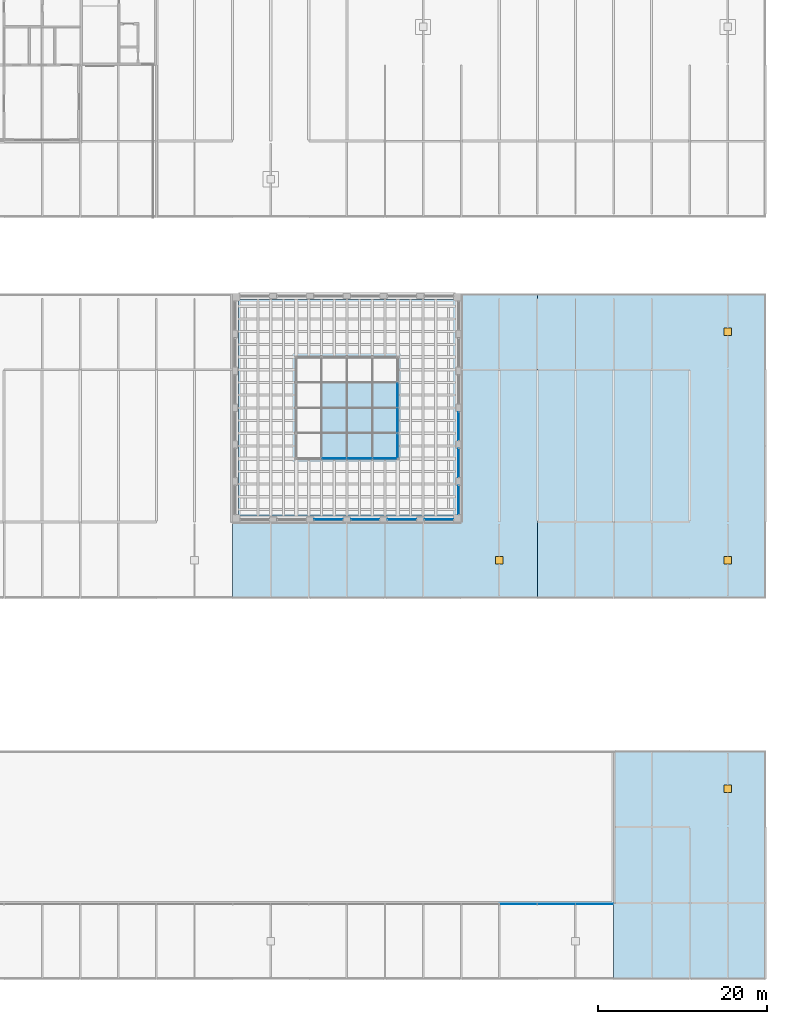
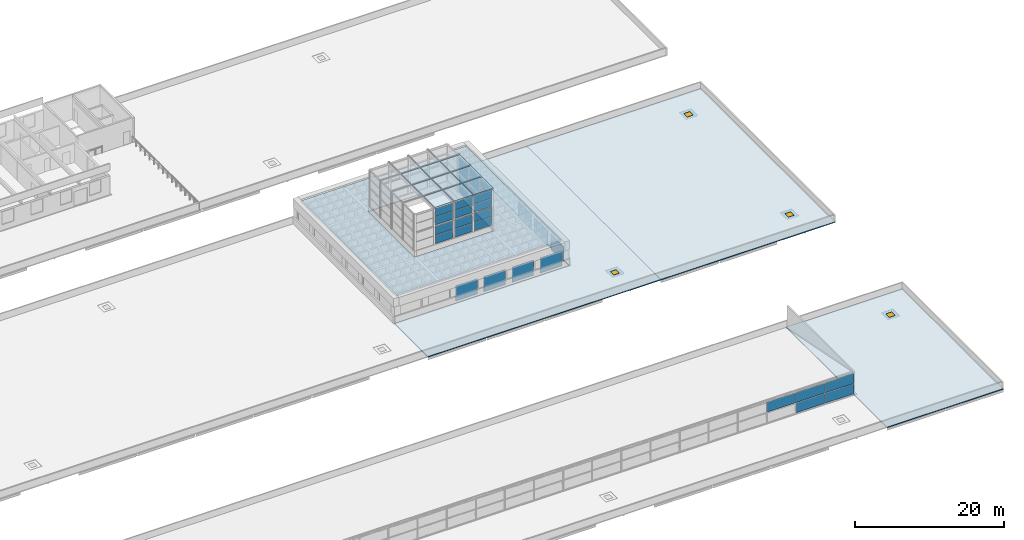
# One storey, part 41 of 50: 45 plates, 4 doors, 4 slabs, 4 openings, 22 elements without a shape of their own.
"""IFC4 building model written with IfcOpenShell, lengths in metres."""

from ifc_helpers import new_model, si_unit, direction, frame, origin, origin_2d, place, context, subcontext, project, spatial, polyline, rectangle, outline, extrude, material, layer, layer_set, type_object, element, fill, aggregate, save


model = new_model("IFC4")

# Units and contexts
model_context = context("Model", 3, precision=1e-05, world=origin(), true_north=direction((0.0, 1.0)))
body_context = subcontext(model_context, "Body", "Model", "MODEL_VIEW")
ifc_project = project(units=[si_unit("LENGTHUNIT", "METRE"), si_unit("AREAUNIT", "SQUARE_METRE"), si_unit("VOLUMEUNIT", "CUBIC_METRE"), si_unit("PLANEANGLEUNIT", "RADIAN"), si_unit("MASSUNIT", "GRAM", prefix="KILO")], contexts=[model_context])

# Site, building, storey
site_placement = place(None, origin())
site = spatial("IfcSite", under=ifc_project, at=site_placement, CompositionType="ELEMENT")
building_placement = place(site_placement, origin())
building = spatial("IfcBuilding", under=site, at=building_placement, Name="Corbel Yard City Hall", CompositionType="ELEMENT")
storey_placement = place(building_placement, frame((0.0, 0.0, 15.0)))
storey = spatial("IfcBuildingStorey", under=building, at=storey_placement, Name="L03", CompositionType="ELEMENT", Elevation=15.0)

# Slab
ifc_material_1 = material(Name="Concrete N50 (50 MPa)", Category="concrete")
ifc_layer_1 = layer(ifc_material_1, 0.14990234375)
ifc_layer_set_1 = layer_set([ifc_layer_1], Name="Concrete N50 (50 MPa)")
slab_type_1 = type_object("IfcSlabType", Name="Coffer roof topping 150", PredefinedType="ROOF", material=ifc_layer_set_1)
slab_1_placement = place(storey_placement, frame((0.0, 0.0, 3.64990234375)))
element("IfcSlab", 1, at=slab_1_placement, inside=storey, type_object=slab_type_1, Name="Council Chamber coffered roof topping", PredefinedType="ROOF", context=body_context, shape_type="SweptSolid", body=[
    extrude(outline(polyline([(117.699951171875, 54.699951171875), (143.300048828125, 54.699951171875), (143.300048828125, 80.300048828125), (117.699951171875, 80.300048828125), (117.699951171875, 54.699951171875)]), holes=[polyline([(136.64990234375, 73.64990234375), (136.64990234375, 61.35009765625), (124.35009765625, 61.35009765625), (124.35009765625, 73.64990234375), (136.64990234375, 73.64990234375)])]), origin(), (0.0, 0.0, 1.0), 0.150146484375),
])

# Curtain wall, plates
ifc_material_2 = material(Name="Stainless steel Grade 316", Category="steel")
ifc_layer_2 = layer(ifc_material_2, 0.050048828125)
ifc_layer_set_2 = layer_set([ifc_layer_2], Name="Stainless steel Grade 316")
curtain_wall_type_1 = type_object("IfcCurtainWallType", Name="CW9", PredefinedType="USERDEFINED", material=ifc_layer_set_2)
curtain_wall_1_placement = place(storey_placement, origin())
curtain_wall_1 = element("IfcCurtainWall", 2, at=curtain_wall_1_placement, inside=storey, type_object=curtain_wall_type_1, Name="Lantern roof glazing", ObjectType="CURTAIN WALL", PredefinedType="USERDEFINED")
ifc_material_3 = material(Name="Laminated heat-strengthened glass", Category="glass")
ifc_layer_3 = layer(ifc_material_3, 0.052001953125)
ifc_layer_set_3 = layer_set([ifc_layer_3], Name="Laminated heat-strengthened glass")
plate_type_1 = type_object("IfcPlateType", Name="PN10", PredefinedType="CURTAIN_PANEL", material=ifc_layer_set_3)
plate_1_placement = place(storey_placement, frame((129.0, 62.93505859375, 10.64990234375), z_axis=(0.0, 0.0, 1.0), x_axis=(1.0, 0.0, 0.0)))
plate_1 = element("IfcPlate", 3, at=plate_1_placement, type_object=plate_type_1, Name="Lantern roof glazing panel", PredefinedType="CURTAIN_PANEL", context=body_context, shape_type="SweptSolid", body=[
    extrude(rectangle(XDim=2.93994140625, YDim=3.070068359375, at=origin_2d()), origin(), (0.0, 0.0, 1.0), 0.052001953125),
])
plate_2_placement = place(storey_placement, frame((129.0, 66.0, 10.64990234375), z_axis=(0.0, 0.0, 1.0), x_axis=(1.0, 0.0, 0.0)))
plate_2 = element("IfcPlate", 4, at=plate_2_placement, type_object=plate_type_1, Name="Lantern roof glazing panel", PredefinedType="CURTAIN_PANEL", context=body_context, shape_type="SweptSolid", body=[
    extrude(rectangle(XDim=2.93994140625, YDim=2.93994140625, at=origin_2d()), origin(), (0.0, 0.0, 1.0), 0.052001953125),
])
plate_3_placement = place(storey_placement, frame((129.0, 69.0, 10.64990234375), z_axis=(0.0, 0.0, 1.0), x_axis=(1.0, 0.0, 0.0)))
plate_3 = element("IfcPlate", 5, at=plate_3_placement, type_object=plate_type_1, Name="Lantern roof glazing panel", PredefinedType="CURTAIN_PANEL", context=body_context, shape_type="SweptSolid", body=[
    extrude(rectangle(XDim=2.93994140625, YDim=2.93994140625, at=origin_2d()), origin(), (0.0, 0.0, 1.0), 0.052001953125),
])
plate_4_placement = place(storey_placement, frame((132.0, 62.93505859375, 10.64990234375), z_axis=(0.0, 0.0, 1.0), x_axis=(1.0, 0.0, 0.0)))
plate_4 = element("IfcPlate", 6, at=plate_4_placement, type_object=plate_type_1, Name="Lantern roof glazing panel", PredefinedType="CURTAIN_PANEL", context=body_context, shape_type="SweptSolid", body=[
    extrude(rectangle(XDim=2.93994140625, YDim=3.070068359375, at=origin_2d()), origin(), (0.0, 0.0, 1.0), 0.052001953125),
])
plate_5_placement = place(storey_placement, frame((132.0, 66.0, 10.64990234375), z_axis=(0.0, 0.0, 1.0), x_axis=(1.0, 0.0, 0.0)))
plate_5 = element("IfcPlate", 7, at=plate_5_placement, type_object=plate_type_1, Name="Lantern roof glazing panel", PredefinedType="CURTAIN_PANEL", context=body_context, shape_type="SweptSolid", body=[
    extrude(rectangle(XDim=2.93994140625, YDim=2.93994140625, at=origin_2d()), origin(), (0.0, 0.0, 1.0), 0.052001953125),
])
plate_6_placement = place(storey_placement, frame((132.0, 69.0, 10.64990234375), z_axis=(0.0, 0.0, 1.0), x_axis=(1.0, 0.0, 0.0)))
plate_6 = element("IfcPlate", 8, at=plate_6_placement, type_object=plate_type_1, Name="Lantern roof glazing panel", PredefinedType="CURTAIN_PANEL", context=body_context, shape_type="SweptSolid", body=[
    extrude(rectangle(XDim=2.93994140625, YDim=2.93994140625, at=origin_2d()), origin(), (0.0, 0.0, 1.0), 0.052001953125),
])
plate_7_placement = place(storey_placement, frame((135.06494140625, 62.93505859375, 10.64990234375), z_axis=(0.0, 0.0, 1.0), x_axis=(1.0, 0.0, 0.0)))
plate_7 = element("IfcPlate", 9, at=plate_7_placement, type_object=plate_type_1, Name="Lantern roof glazing panel", PredefinedType="CURTAIN_PANEL", context=body_context, shape_type="SweptSolid", body=[
    extrude(rectangle(XDim=3.070068359375, YDim=3.070068359375, at=origin_2d()), origin(), (0.0, 0.0, 1.0), 0.052001953125),
])
plate_8_placement = place(storey_placement, frame((135.06494140625, 66.0, 10.64990234375), z_axis=(0.0, 0.0, 1.0), x_axis=(1.0, 0.0, 0.0)))
plate_8 = element("IfcPlate", 10, at=plate_8_placement, type_object=plate_type_1, Name="Lantern roof glazing panel", PredefinedType="CURTAIN_PANEL", context=body_context, shape_type="SweptSolid", body=[
    extrude(rectangle(XDim=3.070068359375, YDim=2.93994140625, at=origin_2d()), origin(), (0.0, 0.0, 1.0), 0.052001953125),
])
plate_9_placement = place(storey_placement, frame((135.06494140625, 69.0, 10.64990234375), z_axis=(0.0, 0.0, 1.0), x_axis=(1.0, 0.0, 0.0)))
plate_9 = element("IfcPlate", 11, at=plate_9_placement, type_object=plate_type_1, Name="Lantern roof glazing panel", PredefinedType="CURTAIN_PANEL", context=body_context, shape_type="SweptSolid", body=[
    extrude(rectangle(XDim=3.070068359375, YDim=2.93994140625, at=origin_2d()), origin(), (0.0, 0.0, 1.0), 0.052001953125),
])
aggregate(curtain_wall_1, [plate_1, plate_2, plate_3, plate_4, plate_5, plate_6, plate_7, plate_8, plate_9])

ifc_material_4 = material(Name="Aluminium extrusion", Category="aluminium")
ifc_layer_4 = layer(ifc_material_4, 0.1201171875)
ifc_layer_set_4 = layer_set([ifc_layer_4], Name="Aluminium extrusion")
curtain_wall_type_2 = type_object("IfcCurtainWallType", Name="CW3", PredefinedType="USERDEFINED", material=ifc_layer_set_4)
curtain_wall_2_placement = place(storey_placement, origin())
curtain_wall_2 = element("IfcCurtainWall", 12, at=curtain_wall_2_placement, inside=storey, type_object=curtain_wall_type_2, Name="Lantern glazing", ObjectType="CURTAIN WALL", PredefinedType="USERDEFINED")
ifc_layer_5 = layer(ifc_material_3, 0.0439453125)
ifc_layer_set_5 = layer_set([ifc_layer_5], Name="Laminated heat-strengthened glass")
plate_type_2 = type_object("IfcPlateType", Name="PN3", PredefinedType="CURTAIN_PANEL", material=ifc_layer_set_5)
plate_10_placement = place(storey_placement, frame((129.0, 61.5, 4.7001953125), z_axis=(0.0, 0.0, 1.0), x_axis=(1.0, 0.0, 0.0)))
plate_10 = element("IfcPlate", 13, at=plate_10_placement, type_object=plate_type_2, Name="CW3 panel 1.1", PredefinedType="CURTAIN_PANEL", context=body_context, shape_type="SweptSolid", body=[
    extrude(rectangle(XDim=2.699951171875, YDim=0.0439453125, at=origin_2d()), origin(), (0.0, 0.0, 1.0), 1.387451171875),
])
plate_11_placement = place(storey_placement, frame((129.0, 61.5, 6.1376953125), z_axis=(0.0, 0.0, 1.0), x_axis=(1.0, 0.0, 0.0)))
plate_11 = element("IfcPlate", 14, at=plate_11_placement, type_object=plate_type_2, Name="CW3 panel 1.2", PredefinedType="CURTAIN_PANEL", context=body_context, shape_type="SweptSolid", body=[
    extrude(rectangle(XDim=2.699951171875, YDim=0.0439453125, at=origin_2d()), origin(), (0.0, 0.0, 1.0), 1.387451171875),
])
aggregate(curtain_wall_2, [plate_10, plate_11])

curtain_wall_3_placement = place(storey_placement, origin())
curtain_wall_3 = element("IfcCurtainWall", 15, at=curtain_wall_3_placement, inside=storey, type_object=curtain_wall_type_2, Name="Lantern glazing", ObjectType="CURTAIN WALL", PredefinedType="USERDEFINED")
plate_12_placement = place(storey_placement, frame((132.0, 61.5, 4.7001953125), z_axis=(0.0, 0.0, 1.0), x_axis=(1.0, 0.0, 0.0)))
plate_12 = element("IfcPlate", 16, at=plate_12_placement, type_object=plate_type_2, Name="CW3 panel 1.1", PredefinedType="CURTAIN_PANEL", context=body_context, shape_type="SweptSolid", body=[
    extrude(rectangle(XDim=2.699951171875, YDim=0.0439453125, at=origin_2d()), origin(), (0.0, 0.0, 1.0), 1.387451171875),
])
plate_13_placement = place(storey_placement, frame((132.0, 61.5, 6.1376953125), z_axis=(0.0, 0.0, 1.0), x_axis=(1.0, 0.0, 0.0)))
plate_13 = element("IfcPlate", 17, at=plate_13_placement, type_object=plate_type_2, Name="CW3 panel 1.2", PredefinedType="CURTAIN_PANEL", context=body_context, shape_type="SweptSolid", body=[
    extrude(rectangle(XDim=2.699951171875, YDim=0.0439453125, at=origin_2d()), origin(), (0.0, 0.0, 1.0), 1.387451171875),
])
aggregate(curtain_wall_3, [plate_12, plate_13])

curtain_wall_4_placement = place(storey_placement, origin())
curtain_wall_4 = element("IfcCurtainWall", 18, at=curtain_wall_4_placement, inside=storey, type_object=curtain_wall_type_2, Name="Lantern glazing", ObjectType="CURTAIN WALL", PredefinedType="USERDEFINED")
plate_14_placement = place(storey_placement, frame((135.0, 61.5, 4.7001953125), z_axis=(0.0, 0.0, 1.0), x_axis=(1.0, 0.0, 0.0)))
plate_14 = element("IfcPlate", 19, at=plate_14_placement, type_object=plate_type_2, Name="CW3 panel 1.1", PredefinedType="CURTAIN_PANEL", context=body_context, shape_type="SweptSolid", body=[
    extrude(rectangle(XDim=2.699951171875, YDim=0.0439453125, at=origin_2d()), origin(), (0.0, 0.0, 1.0), 1.387451171875),
])
plate_15_placement = place(storey_placement, frame((135.0, 61.5, 6.1376953125), z_axis=(0.0, 0.0, 1.0), x_axis=(1.0, 0.0, 0.0)))
plate_15 = element("IfcPlate", 20, at=plate_15_placement, type_object=plate_type_2, Name="CW3 panel 1.2", PredefinedType="CURTAIN_PANEL", context=body_context, shape_type="SweptSolid", body=[
    extrude(rectangle(XDim=2.699951171875, YDim=0.0439453125, at=origin_2d()), origin(), (0.0, 0.0, 1.0), 1.387451171875),
])
aggregate(curtain_wall_4, [plate_14, plate_15])

curtain_wall_5_placement = place(storey_placement, origin())
curtain_wall_5 = element("IfcCurtainWall", 21, at=curtain_wall_5_placement, inside=storey, type_object=curtain_wall_type_2, Name="Lantern glazing", ObjectType="CURTAIN WALL", PredefinedType="USERDEFINED")
plate_16_placement = place(storey_placement, frame((136.5, 63.0, 4.7001953125), z_axis=(0.0, 0.0, 1.0), x_axis=(0.0, 1.0, 0.0)))
plate_16 = element("IfcPlate", 22, at=plate_16_placement, type_object=plate_type_2, Name="CW3 panel 1.1", PredefinedType="CURTAIN_PANEL", context=body_context, shape_type="SweptSolid", body=[
    extrude(rectangle(XDim=2.699951171875, YDim=0.0439453125, at=origin_2d()), origin(), (0.0, 0.0, 1.0), 1.387451171875),
])
plate_17_placement = place(storey_placement, frame((136.5, 63.0, 6.1376953125), z_axis=(0.0, 0.0, 1.0), x_axis=(0.0, 1.0, 0.0)))
plate_17 = element("IfcPlate", 23, at=plate_17_placement, type_object=plate_type_2, Name="CW3 panel 1.2", PredefinedType="CURTAIN_PANEL", context=body_context, shape_type="SweptSolid", body=[
    extrude(rectangle(XDim=2.699951171875, YDim=0.0439453125, at=origin_2d()), origin(), (0.0, 0.0, 1.0), 1.387451171875),
])
aggregate(curtain_wall_5, [plate_16, plate_17])

curtain_wall_6_placement = place(storey_placement, origin())
curtain_wall_6 = element("IfcCurtainWall", 24, at=curtain_wall_6_placement, inside=storey, type_object=curtain_wall_type_2, Name="Lantern glazing", ObjectType="CURTAIN WALL", PredefinedType="USERDEFINED")
plate_18_placement = place(storey_placement, frame((136.5, 66.0, 4.7001953125), z_axis=(0.0, 0.0, 1.0), x_axis=(0.0, 1.0, 0.0)))
plate_18 = element("IfcPlate", 25, at=plate_18_placement, type_object=plate_type_2, Name="CW3 panel 1.1", PredefinedType="CURTAIN_PANEL", context=body_context, shape_type="SweptSolid", body=[
    extrude(rectangle(XDim=2.699951171875, YDim=0.0439453125, at=origin_2d()), origin(), (0.0, 0.0, 1.0), 1.387451171875),
])
plate_19_placement = place(storey_placement, frame((136.5, 66.0, 6.1376953125), z_axis=(0.0, 0.0, 1.0), x_axis=(0.0, 1.0, 0.0)))
plate_19 = element("IfcPlate", 26, at=plate_19_placement, type_object=plate_type_2, Name="CW3 panel 1.2", PredefinedType="CURTAIN_PANEL", context=body_context, shape_type="SweptSolid", body=[
    extrude(rectangle(XDim=2.699951171875, YDim=0.0439453125, at=origin_2d()), origin(), (0.0, 0.0, 1.0), 1.387451171875),
])
aggregate(curtain_wall_6, [plate_18, plate_19])

curtain_wall_7_placement = place(storey_placement, origin())
curtain_wall_7 = element("IfcCurtainWall", 27, at=curtain_wall_7_placement, inside=storey, type_object=curtain_wall_type_2, Name="Lantern glazing", ObjectType="CURTAIN WALL", PredefinedType="USERDEFINED")
plate_20_placement = place(storey_placement, frame((136.5, 69.0, 4.7001953125), z_axis=(0.0, 0.0, 1.0), x_axis=(0.0, 1.0, 0.0)))
plate_20 = element("IfcPlate", 28, at=plate_20_placement, type_object=plate_type_2, Name="CW3 panel 1.1", PredefinedType="CURTAIN_PANEL", context=body_context, shape_type="SweptSolid", body=[
    extrude(rectangle(XDim=2.699951171875, YDim=0.0439453125, at=origin_2d()), origin(), (0.0, 0.0, 1.0), 1.387451171875),
])
plate_21_placement = place(storey_placement, frame((136.5, 69.0, 6.1376953125), z_axis=(0.0, 0.0, 1.0), x_axis=(0.0, 1.0, 0.0)))
plate_21 = element("IfcPlate", 29, at=plate_21_placement, type_object=plate_type_2, Name="CW3 panel 1.2", PredefinedType="CURTAIN_PANEL", context=body_context, shape_type="SweptSolid", body=[
    extrude(rectangle(XDim=2.699951171875, YDim=0.0439453125, at=origin_2d()), origin(), (0.0, 0.0, 1.0), 1.387451171875),
])
aggregate(curtain_wall_7, [plate_20, plate_21])

curtain_wall_8_placement = place(storey_placement, origin())
curtain_wall_8 = element("IfcCurtainWall", 30, at=curtain_wall_8_placement, inside=storey, type_object=curtain_wall_type_2, Name="Lantern glazing", ObjectType="CURTAIN WALL", PredefinedType="USERDEFINED")
plate_22_placement = place(storey_placement, frame((129.0, 61.5, 7.77490234375), z_axis=(0.0, 0.0, 1.0), x_axis=(1.0, 0.0, 0.0)))
plate_22 = element("IfcPlate", 31, at=plate_22_placement, type_object=plate_type_2, Name="CW3 panel 1.1", PredefinedType="CURTAIN_PANEL", context=body_context, shape_type="SweptSolid", body=[
    extrude(rectangle(XDim=2.699951171875, YDim=0.0439453125, at=origin_2d()), origin(), (0.0, 0.0, 1.0), 1.3125),
])
plate_23_placement = place(storey_placement, frame((129.0, 61.5, 9.137451171875), z_axis=(0.0, 0.0, 1.0), x_axis=(1.0, 0.0, 0.0)))
plate_23 = element("IfcPlate", 32, at=plate_23_placement, type_object=plate_type_2, Name="CW3 panel 1.2", PredefinedType="CURTAIN_PANEL", context=body_context, shape_type="SweptSolid", body=[
    extrude(rectangle(XDim=2.699951171875, YDim=0.0439453125, at=origin_2d()), origin(), (0.0, 0.0, 1.0), 1.3125),
])
aggregate(curtain_wall_8, [plate_22, plate_23])

curtain_wall_9_placement = place(storey_placement, origin())
curtain_wall_9 = element("IfcCurtainWall", 33, at=curtain_wall_9_placement, inside=storey, type_object=curtain_wall_type_2, Name="Lantern glazing", ObjectType="CURTAIN WALL", PredefinedType="USERDEFINED")
plate_24_placement = place(storey_placement, frame((132.0, 61.5, 7.77490234375), z_axis=(0.0, 0.0, 1.0), x_axis=(1.0, 0.0, 0.0)))
plate_24 = element("IfcPlate", 34, at=plate_24_placement, type_object=plate_type_2, Name="CW3 panel 1.1", PredefinedType="CURTAIN_PANEL", context=body_context, shape_type="SweptSolid", body=[
    extrude(rectangle(XDim=2.699951171875, YDim=0.0439453125, at=origin_2d()), origin(), (0.0, 0.0, 1.0), 1.3125),
])
plate_25_placement = place(storey_placement, frame((132.0, 61.5, 9.137451171875), z_axis=(0.0, 0.0, 1.0), x_axis=(1.0, 0.0, 0.0)))
plate_25 = element("IfcPlate", 35, at=plate_25_placement, type_object=plate_type_2, Name="CW3 panel 1.2", PredefinedType="CURTAIN_PANEL", context=body_context, shape_type="SweptSolid", body=[
    extrude(rectangle(XDim=2.699951171875, YDim=0.0439453125, at=origin_2d()), origin(), (0.0, 0.0, 1.0), 1.3125),
])
aggregate(curtain_wall_9, [plate_24, plate_25])

curtain_wall_10_placement = place(storey_placement, origin())
curtain_wall_10 = element("IfcCurtainWall", 36, at=curtain_wall_10_placement, inside=storey, type_object=curtain_wall_type_2, Name="Lantern glazing", ObjectType="CURTAIN WALL", PredefinedType="USERDEFINED")
plate_26_placement = place(storey_placement, frame((135.0, 61.5, 7.77490234375), z_axis=(0.0, 0.0, 1.0), x_axis=(1.0, 0.0, 0.0)))
plate_26 = element("IfcPlate", 37, at=plate_26_placement, type_object=plate_type_2, Name="CW3 panel 1.1", PredefinedType="CURTAIN_PANEL", context=body_context, shape_type="SweptSolid", body=[
    extrude(rectangle(XDim=2.699951171875, YDim=0.0439453125, at=origin_2d()), origin(), (0.0, 0.0, 1.0), 1.3125),
])
plate_27_placement = place(storey_placement, frame((135.0, 61.5, 9.137451171875), z_axis=(0.0, 0.0, 1.0), x_axis=(1.0, 0.0, 0.0)))
plate_27 = element("IfcPlate", 38, at=plate_27_placement, type_object=plate_type_2, Name="CW3 panel 1.2", PredefinedType="CURTAIN_PANEL", context=body_context, shape_type="SweptSolid", body=[
    extrude(rectangle(XDim=2.699951171875, YDim=0.0439453125, at=origin_2d()), origin(), (0.0, 0.0, 1.0), 1.3125),
])
aggregate(curtain_wall_10, [plate_26, plate_27])

curtain_wall_11_placement = place(storey_placement, origin())
curtain_wall_11 = element("IfcCurtainWall", 39, at=curtain_wall_11_placement, inside=storey, type_object=curtain_wall_type_2, Name="Lantern glazing", ObjectType="CURTAIN WALL", PredefinedType="USERDEFINED")
plate_28_placement = place(storey_placement, frame((136.5, 63.0, 7.77490234375), z_axis=(0.0, 0.0, 1.0), x_axis=(0.0, 1.0, 0.0)))
plate_28 = element("IfcPlate", 40, at=plate_28_placement, type_object=plate_type_2, Name="CW3 panel 1.1", PredefinedType="CURTAIN_PANEL", context=body_context, shape_type="SweptSolid", body=[
    extrude(rectangle(XDim=2.699951171875, YDim=0.0439453125, at=origin_2d()), origin(), (0.0, 0.0, 1.0), 1.3125),
])
plate_29_placement = place(storey_placement, frame((136.5, 63.0, 9.137451171875), z_axis=(0.0, 0.0, 1.0), x_axis=(0.0, 1.0, 0.0)))
plate_29 = element("IfcPlate", 41, at=plate_29_placement, type_object=plate_type_2, Name="CW3 panel 1.2", PredefinedType="CURTAIN_PANEL", context=body_context, shape_type="SweptSolid", body=[
    extrude(rectangle(XDim=2.699951171875, YDim=0.0439453125, at=origin_2d()), origin(), (0.0, 0.0, 1.0), 1.3125),
])
aggregate(curtain_wall_11, [plate_28, plate_29])

curtain_wall_12_placement = place(storey_placement, origin())
curtain_wall_12 = element("IfcCurtainWall", 42, at=curtain_wall_12_placement, inside=storey, type_object=curtain_wall_type_2, Name="Lantern glazing", ObjectType="CURTAIN WALL", PredefinedType="USERDEFINED")
plate_30_placement = place(storey_placement, frame((136.5, 66.0, 7.77490234375), z_axis=(0.0, 0.0, 1.0), x_axis=(0.0, 1.0, 0.0)))
plate_30 = element("IfcPlate", 43, at=plate_30_placement, type_object=plate_type_2, Name="CW3 panel 1.1", PredefinedType="CURTAIN_PANEL", context=body_context, shape_type="SweptSolid", body=[
    extrude(rectangle(XDim=2.699951171875, YDim=0.0439453125, at=origin_2d()), origin(), (0.0, 0.0, 1.0), 1.3125),
])
plate_31_placement = place(storey_placement, frame((136.5, 66.0, 9.137451171875), z_axis=(0.0, 0.0, 1.0), x_axis=(0.0, 1.0, 0.0)))
plate_31 = element("IfcPlate", 44, at=plate_31_placement, type_object=plate_type_2, Name="CW3 panel 1.2", PredefinedType="CURTAIN_PANEL", context=body_context, shape_type="SweptSolid", body=[
    extrude(rectangle(XDim=2.699951171875, YDim=0.0439453125, at=origin_2d()), origin(), (0.0, 0.0, 1.0), 1.3125),
])
aggregate(curtain_wall_12, [plate_30, plate_31])

curtain_wall_13_placement = place(storey_placement, origin())
curtain_wall_13 = element("IfcCurtainWall", 45, at=curtain_wall_13_placement, inside=storey, type_object=curtain_wall_type_2, Name="Lantern glazing", ObjectType="CURTAIN WALL", PredefinedType="USERDEFINED")
plate_32_placement = place(storey_placement, frame((136.5, 69.0, 7.77490234375), z_axis=(0.0, 0.0, 1.0), x_axis=(0.0, 1.0, 0.0)))
plate_32 = element("IfcPlate", 46, at=plate_32_placement, type_object=plate_type_2, Name="CW3 panel 1.1", PredefinedType="CURTAIN_PANEL", context=body_context, shape_type="SweptSolid", body=[
    extrude(rectangle(XDim=2.699951171875, YDim=0.0439453125, at=origin_2d()), origin(), (0.0, 0.0, 1.0), 1.3125),
])
plate_33_placement = place(storey_placement, frame((136.5, 69.0, 9.137451171875), z_axis=(0.0, 0.0, 1.0), x_axis=(0.0, 1.0, 0.0)))
plate_33 = element("IfcPlate", 47, at=plate_33_placement, type_object=plate_type_2, Name="CW3 panel 1.2", PredefinedType="CURTAIN_PANEL", context=body_context, shape_type="SweptSolid", body=[
    extrude(rectangle(XDim=2.699951171875, YDim=0.0439453125, at=origin_2d()), origin(), (0.0, 0.0, 1.0), 1.3125),
])
aggregate(curtain_wall_13, [plate_32, plate_33])

# Curtain wall, plate
curtain_wall_14_placement = place(storey_placement, origin())
curtain_wall_14 = element("IfcCurtainWall", 48, at=curtain_wall_14_placement, inside=storey, type_object=curtain_wall_type_2, Name="Chamber clerestory glazing", ObjectType="CURTAIN WALL", PredefinedType="USERDEFINED")
plate_34_placement = place(storey_placement, frame((128.324951171875, 54.300048828125, 0.050048828125), z_axis=(0.0, 0.0, 1.0), x_axis=(1.0, 0.0, 0.0)))
plate_34 = element("IfcPlate", 49, at=plate_34_placement, type_object=plate_type_2, Name="CW3 panel 1.1", PredefinedType="CURTAIN_PANEL", context=body_context, shape_type="SweptSolid", body=[
    extrude(rectangle(XDim=3.35009765625, YDim=0.0439453125, at=origin_2d()), origin(), (0.0, 0.0, 1.0), 2.5),
])
aggregate(curtain_wall_14, [plate_34])

curtain_wall_15_placement = place(storey_placement, origin())
curtain_wall_15 = element("IfcCurtainWall", 50, at=curtain_wall_15_placement, inside=storey, type_object=curtain_wall_type_2, Name="Chamber clerestory glazing", ObjectType="CURTAIN WALL", PredefinedType="USERDEFINED")
plate_35_placement = place(storey_placement, frame((132.675048828125, 54.300048828125, 0.050048828125), z_axis=(0.0, 0.0, 1.0), x_axis=(1.0, 0.0, 0.0)))
plate_35 = element("IfcPlate", 51, at=plate_35_placement, type_object=plate_type_2, Name="CW3 panel 1.1", PredefinedType="CURTAIN_PANEL", context=body_context, shape_type="SweptSolid", body=[
    extrude(rectangle(XDim=3.35009765625, YDim=0.0439453125, at=origin_2d()), origin(), (0.0, 0.0, 1.0), 2.5),
])
aggregate(curtain_wall_15, [plate_35])

curtain_wall_16_placement = place(storey_placement, origin())
curtain_wall_16 = element("IfcCurtainWall", 52, at=curtain_wall_16_placement, inside=storey, type_object=curtain_wall_type_2, Name="Chamber clerestory glazing", ObjectType="CURTAIN WALL", PredefinedType="USERDEFINED")
plate_36_placement = place(storey_placement, frame((137.02490234375, 54.300048828125, 0.050048828125), z_axis=(0.0, 0.0, 1.0), x_axis=(1.0, 0.0, 0.0)))
plate_36 = element("IfcPlate", 53, at=plate_36_placement, type_object=plate_type_2, Name="CW3 panel 1.1", PredefinedType="CURTAIN_PANEL", context=body_context, shape_type="SweptSolid", body=[
    extrude(rectangle(XDim=3.35009765625, YDim=0.0439453125, at=origin_2d()), origin(), (0.0, 0.0, 1.0), 2.5),
])
aggregate(curtain_wall_16, [plate_36])

curtain_wall_17_placement = place(storey_placement, origin())
curtain_wall_17 = element("IfcCurtainWall", 54, at=curtain_wall_17_placement, inside=storey, type_object=curtain_wall_type_2, Name="Chamber clerestory glazing", ObjectType="CURTAIN WALL", PredefinedType="USERDEFINED")
plate_37_placement = place(storey_placement, frame((141.375, 54.300048828125, 0.050048828125), z_axis=(0.0, 0.0, 1.0), x_axis=(1.0, 0.0, 0.0)))
plate_37 = element("IfcPlate", 55, at=plate_37_placement, type_object=plate_type_2, Name="CW3 panel 1.1", PredefinedType="CURTAIN_PANEL", context=body_context, shape_type="SweptSolid", body=[
    extrude(rectangle(XDim=3.35009765625, YDim=0.0439453125, at=origin_2d()), origin(), (0.0, 0.0, 1.0), 2.5),
])
aggregate(curtain_wall_17, [plate_37])

curtain_wall_18_placement = place(storey_placement, origin())
curtain_wall_18 = element("IfcCurtainWall", 56, at=curtain_wall_18_placement, inside=storey, type_object=curtain_wall_type_2, Name="Chamber clerestory glazing", ObjectType="CURTAIN WALL", PredefinedType="USERDEFINED")
plate_38_placement = place(storey_placement, frame((143.699951171875, 56.625, 0.050048828125), z_axis=(0.0, 0.0, 1.0), x_axis=(0.0, 1.0, 0.0)))
plate_38 = element("IfcPlate", 57, at=plate_38_placement, type_object=plate_type_2, Name="CW3 panel 1.1", PredefinedType="CURTAIN_PANEL", context=body_context, shape_type="SweptSolid", body=[
    extrude(rectangle(XDim=3.35009765625, YDim=0.0439453125, at=origin_2d()), origin(), (0.0, 0.0, 1.0), 2.5),
])
aggregate(curtain_wall_18, [plate_38])

curtain_wall_19_placement = place(storey_placement, origin())
curtain_wall_19 = element("IfcCurtainWall", 58, at=curtain_wall_19_placement, inside=storey, type_object=curtain_wall_type_2, Name="Chamber clerestory glazing", ObjectType="CURTAIN WALL", PredefinedType="USERDEFINED")
plate_39_placement = place(storey_placement, frame((143.699951171875, 60.97509765625, 0.050048828125), z_axis=(0.0, 0.0, 1.0), x_axis=(0.0, 1.0, 0.0)))
plate_39 = element("IfcPlate", 59, at=plate_39_placement, type_object=plate_type_2, Name="CW3 panel 1.1", PredefinedType="CURTAIN_PANEL", context=body_context, shape_type="SweptSolid", body=[
    extrude(rectangle(XDim=3.35009765625, YDim=0.0439453125, at=origin_2d()), origin(), (0.0, 0.0, 1.0), 2.5),
])
aggregate(curtain_wall_19, [plate_39])

curtain_wall_20_placement = place(storey_placement, origin())
curtain_wall_20 = element("IfcCurtainWall", 60, at=curtain_wall_20_placement, inside=storey, type_object=curtain_wall_type_2, Name="Chamber clerestory glazing", ObjectType="CURTAIN WALL", PredefinedType="USERDEFINED")
plate_40_placement = place(storey_placement, frame((143.699951171875, 65.324951171875, 0.050048828125), z_axis=(0.0, 0.0, 1.0), x_axis=(0.0, 1.0, 0.0)))
plate_40 = element("IfcPlate", 61, at=plate_40_placement, type_object=plate_type_2, Name="CW3 panel 1.1", PredefinedType="CURTAIN_PANEL", context=body_context, shape_type="SweptSolid", body=[
    extrude(rectangle(XDim=3.35009765625, YDim=0.0439453125, at=origin_2d()), origin(), (0.0, 0.0, 1.0), 2.5),
])
aggregate(curtain_wall_20, [plate_40])

ifc_layer_6 = layer(ifc_material_4, 0.219970703125)
ifc_layer_set_6 = layer_set([ifc_layer_6], Name="Aluminium extrusion")
curtain_wall_type_3 = type_object("IfcCurtainWallType", Name="CW5", PredefinedType="USERDEFINED", material=ifc_layer_set_6)
curtain_wall_21_placement = place(storey_placement, origin())
curtain_wall_21 = element("IfcCurtainWall", 62, at=curtain_wall_21_placement, inside=storey, type_object=curtain_wall_type_3, Name="Hall south clerestory curtain wall", ObjectType="CURTAIN WALL", PredefinedType="USERDEFINED")
ifc_material_5 = material(Name="Acoustic laminated glass", Category="glass")
ifc_layer_7 = layer(ifc_material_5, 0.031982421875)
ifc_layer_set_7 = layer_set([ifc_layer_7], Name="Acoustic laminated glass")
plate_type_3 = type_object("IfcPlateType", Name="PN6", PredefinedType="CURTAIN_PANEL", material=ifc_layer_set_7)
plate_41_placement = place(storey_placement, frame((150.733642578125, 8.889892578125, 1.757568359375), z_axis=(0.0, 0.0, 1.0), x_axis=(1.0, 0.0, 0.0)))
plate_41 = element("IfcPlate", 63, at=plate_41_placement, type_object=plate_type_3, Name="CW5 panel 2.2", PredefinedType="CURTAIN_PANEL", context=body_context, shape_type="SweptSolid", body=[
    extrude(rectangle(XDim=4.402587890625, YDim=0.031982421875, at=origin_2d()), origin(), (0.0, 0.0, 1.0), 1.62744140625),
])
aggregate(curtain_wall_21, [plate_41])

# Curtain wall, plates
curtain_wall_22_placement = place(storey_placement, origin())
curtain_wall_22 = element("IfcCurtainWall", 64, at=curtain_wall_22_placement, inside=storey, type_object=curtain_wall_type_3, Name="Hall south clerestory curtain wall", ObjectType="CURTAIN WALL", PredefinedType="USERDEFINED")
plate_42_placement = place(storey_placement, frame((155.266357421875, 8.889892578125, 0.06494140625), z_axis=(0.0, 0.0, 1.0), x_axis=(1.0, 0.0, 0.0)))
plate_42 = element("IfcPlate", 65, at=plate_42_placement, type_object=plate_type_3, Name="CW5 panel 1.1", PredefinedType="CURTAIN_PANEL", context=body_context, shape_type="SweptSolid", body=[
    extrude(rectangle(XDim=4.402587890625, YDim=0.031982421875, at=origin_2d()), origin(), (0.0, 0.0, 1.0), 1.62744140625),
])
plate_43_placement = place(storey_placement, frame((155.266357421875, 8.889892578125, 1.757568359375), z_axis=(0.0, 0.0, 1.0), x_axis=(1.0, 0.0, 0.0)))
plate_43 = element("IfcPlate", 66, at=plate_43_placement, type_object=plate_type_3, Name="CW5 panel 1.2", PredefinedType="CURTAIN_PANEL", context=body_context, shape_type="SweptSolid", body=[
    extrude(rectangle(XDim=4.402587890625, YDim=0.031982421875, at=origin_2d()), origin(), (0.0, 0.0, 1.0), 1.62744140625),
])
plate_44_placement = place(storey_placement, frame((159.733642578125, 8.889892578125, 0.06494140625), z_axis=(0.0, 0.0, 1.0), x_axis=(1.0, 0.0, 0.0)))
plate_44 = element("IfcPlate", 67, at=plate_44_placement, type_object=plate_type_3, Name="CW5 panel 2.1", PredefinedType="CURTAIN_PANEL", context=body_context, shape_type="SweptSolid", body=[
    extrude(rectangle(XDim=4.402587890625, YDim=0.031982421875, at=origin_2d()), origin(), (0.0, 0.0, 1.0), 1.62744140625),
])
plate_45_placement = place(storey_placement, frame((159.733642578125, 8.889892578125, 1.757568359375), z_axis=(0.0, 0.0, 1.0), x_axis=(1.0, 0.0, 0.0)))
plate_45 = element("IfcPlate", 68, at=plate_45_placement, type_object=plate_type_3, Name="CW5 panel 2.2", PredefinedType="CURTAIN_PANEL", context=body_context, shape_type="SweptSolid", body=[
    extrude(rectangle(XDim=4.402587890625, YDim=0.031982421875, at=origin_2d()), origin(), (0.0, 0.0, 1.0), 1.62744140625),
])
aggregate(curtain_wall_22, [plate_42, plate_43, plate_44, plate_45])

# Slab, opening, door
ifc_material_6 = material(Name="Concrete N40 (40 MPa)", Category="concrete")
ifc_layer_8 = layer(ifc_material_6, 0.14990234375)
ifc_layer_set_8 = layer_set([ifc_layer_8], Name="Concrete N40 (40 MPa)")
slab_type_2 = type_object("IfcSlabType", Name="Roof deck 150", PredefinedType="ROOF", material=ifc_layer_set_8)
slab_2_placement = place(storey_placement, frame((0.0, 0.0, -0.14990234375)))
slab_2 = element("IfcSlab", 69, at=slab_2_placement, inside=storey, type_object=slab_type_2, Name="Roof deck East Entrance and Service", PredefinedType="ROOF", context=body_context, shape_type="SweptSolid", body=[
    extrude(outline(polyline([(162.0, 0.0), (180.0, 0.0), (180.0, 27.0), (162.0, 27.0), (162.0, 0.0)])), origin(), (0.0, 0.0, 1.0), 0.14990234375),
])
opening_1_placement = place(slab_2_placement, frame((175.5, 22.5, 0.0)))
opening_1 = element("IfcOpeningElement", 70, at=opening_1_placement, cuts=slab_2, Name="Opening HT1", PredefinedType="OPENING", context=body_context, shape_type="SweptSolid", body=[
    extrude(rectangle(XDim=0.89990234375, YDim=0.89990234375, at=origin_2d()), frame((0.0, 0.0, -0.010009765625)), (0.0, 0.0, 1.0), 0.169921875),
])
ifc_material_7 = material(Name="Steel Grade G250", Category="steel")
door_type = type_object("IfcDoorType", Name="HT1", OperationType="SINGLE_SWING_LEFT", PredefinedType="TRAPDOOR", material=ifc_material_7)
door_1_placement = place(opening_1_placement, frame((0.0, 0.0, 0.099853515625)))
door_1 = element("IfcDoor", 71, at=door_1_placement, inside=storey, type_object=door_type, Name="Roof hatch PC-S6", OperationType="SINGLE_SWING_LEFT", OverallHeight=0.89990234375, OverallWidth=0.89990234375, PredefinedType="TRAPDOOR", context=body_context, shape_type="SweptSolid", body=[
    extrude(rectangle(XDim=0.89990234375, YDim=0.89990234375, at=origin_2d()), origin(), (0.0, 0.0, 1.0), 0.050048828125),
])
fill(opening_1, door_1)

slab_3_placement = place(storey_placement, frame((0.0, 0.0, -0.14990234375)))
slab_3 = element("IfcSlab", 72, at=slab_3_placement, inside=storey, type_object=slab_type_2, Name="Roof deck Council Chamber block", PredefinedType="ROOF", context=body_context, shape_type="SweptSolid", body=[
    extrude(outline(polyline([(117.0, 45.0), (153.0, 45.0), (153.0, 81.0), (144.0, 81.0), (144.0, 54.0), (117.0, 54.0), (117.0, 45.0)])), origin(), (0.0, 0.0, 1.0), 0.14990234375),
])
opening_2_placement = place(slab_3_placement, frame((148.5, 49.5, 0.0)))
opening_2 = element("IfcOpeningElement", 73, at=opening_2_placement, cuts=slab_3, Name="Opening HT1", PredefinedType="OPENING", context=body_context, shape_type="SweptSolid", body=[
    extrude(rectangle(XDim=0.89990234375, YDim=0.89990234375, at=origin_2d()), frame((0.0, 0.0, -0.010009765625)), (0.0, 0.0, 1.0), 0.169921875),
])
door_2_placement = place(opening_2_placement, frame((0.0, 0.0, 0.099853515625)))
door_2 = element("IfcDoor", 74, at=door_2_placement, inside=storey, type_object=door_type, Name="Roof hatch PC-M4", OperationType="SINGLE_SWING_LEFT", OverallHeight=0.89990234375, OverallWidth=0.89990234375, PredefinedType="TRAPDOOR", context=body_context, shape_type="SweptSolid", body=[
    extrude(rectangle(XDim=0.89990234375, YDim=0.89990234375, at=origin_2d()), origin(), (0.0, 0.0, 1.0), 0.050048828125),
])
fill(opening_2, door_2)

# Slab, openings, doors
slab_4_placement = place(storey_placement, frame((0.0, 0.0, -0.14990234375)))
slab_4 = element("IfcSlab", 75, at=slab_4_placement, inside=storey, type_object=slab_type_2, Name="Roof deck Members' wing", PredefinedType="ROOF", context=body_context, shape_type="SweptSolid", body=[
    extrude(outline(polyline([(153.0, 45.0), (180.0, 45.0), (180.0, 81.0), (153.0, 81.0), (153.0, 45.0)])), origin(), (0.0, 0.0, 1.0), 0.14990234375),
])
opening_3_placement = place(slab_4_placement, frame((175.5, 49.5, 0.0)))
opening_3 = element("IfcOpeningElement", 76, at=opening_3_placement, cuts=slab_4, Name="Opening HT1", PredefinedType="OPENING", context=body_context, shape_type="SweptSolid", body=[
    extrude(rectangle(XDim=0.89990234375, YDim=0.89990234375, at=origin_2d()), frame((0.0, 0.0, -0.010009765625)), (0.0, 0.0, 1.0), 0.169921875),
])
opening_4_placement = place(slab_4_placement, frame((175.5, 76.5, 0.0)))
opening_4 = element("IfcOpeningElement", 77, at=opening_4_placement, cuts=slab_4, Name="Opening HT1", PredefinedType="OPENING", context=body_context, shape_type="SweptSolid", body=[
    extrude(rectangle(XDim=0.89990234375, YDim=0.89990234375, at=origin_2d()), frame((0.0, 0.0, -0.010009765625)), (0.0, 0.0, 1.0), 0.169921875),
])
door_3_placement = place(opening_3_placement, frame((0.0, 0.0, 0.099853515625)))
door_3 = element("IfcDoor", 78, at=door_3_placement, inside=storey, type_object=door_type, Name="Roof hatch PC-M5", OperationType="SINGLE_SWING_LEFT", OverallHeight=0.89990234375, OverallWidth=0.89990234375, PredefinedType="TRAPDOOR", context=body_context, shape_type="SweptSolid", body=[
    extrude(rectangle(XDim=0.89990234375, YDim=0.89990234375, at=origin_2d()), origin(), (0.0, 0.0, 1.0), 0.050048828125),
])
fill(opening_3, door_3)
door_4_placement = place(opening_4_placement, frame((0.0, 0.0, 0.099853515625)))
door_4 = element("IfcDoor", 79, at=door_4_placement, inside=storey, type_object=door_type, Name="Roof hatch PC-M8", OperationType="SINGLE_SWING_LEFT", OverallHeight=0.89990234375, OverallWidth=0.89990234375, PredefinedType="TRAPDOOR", context=body_context, shape_type="SweptSolid", body=[
    extrude(rectangle(XDim=0.89990234375, YDim=0.89990234375, at=origin_2d()), origin(), (0.0, 0.0, 1.0), 0.050048828125),
])
fill(opening_4, door_4)

save(model, "model.ifc")
